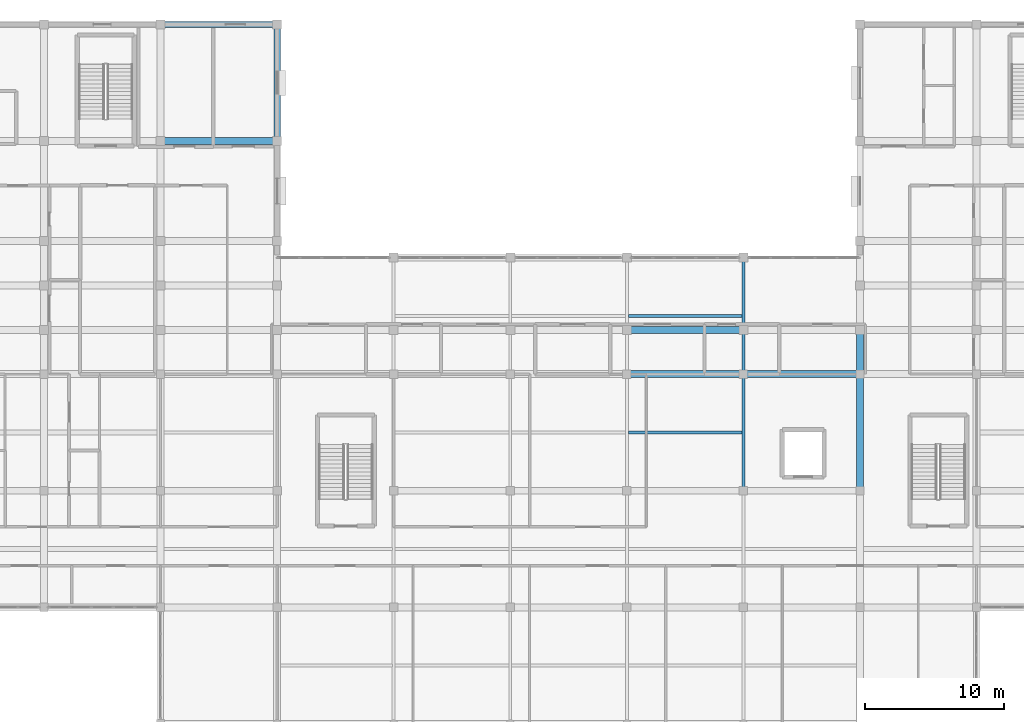
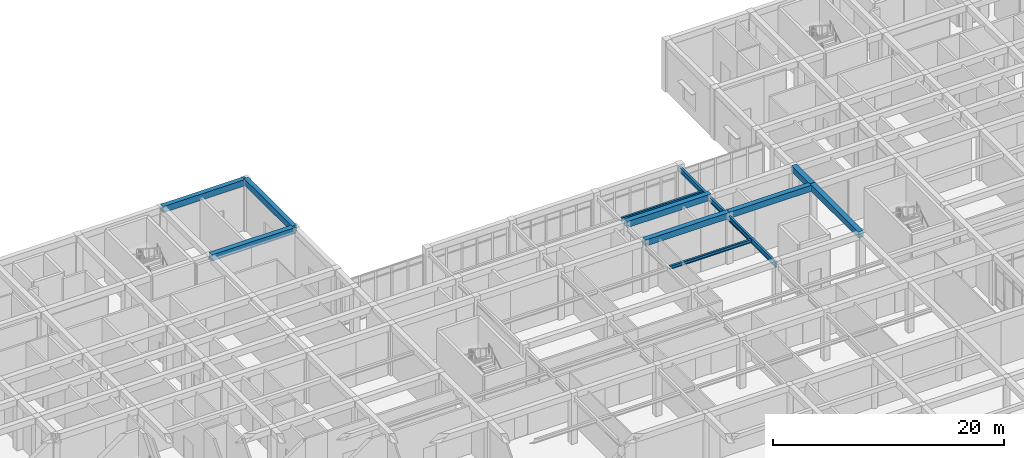
# One storey, part 29 of 89: 13 beams.
"""IFC4 building model written with IfcOpenShell, lengths in metres."""

from ifc_helpers import new_model, si_unit, direction, frame, origin, origin_2d, place, context, subcontext, project, spatial, rectangle, i_section, extrude, material, material_profile, profile_set, type_object, element, save


model = new_model("IFC4")

# Units and contexts
model_context = context("Model", 3, precision=1e-05, world=origin(), true_north=direction((0.0, 1.0)))
body_context = subcontext(model_context, "Body", "Model", "MODEL_VIEW")
ifc_project = project(units=[si_unit("LENGTHUNIT", "METRE"), si_unit("AREAUNIT", "SQUARE_METRE"), si_unit("VOLUMEUNIT", "CUBIC_METRE"), si_unit("PLANEANGLEUNIT", "RADIAN"), si_unit("MASSUNIT", "GRAM", prefix="KILO")], contexts=[model_context])

# Site, building, storey
site_placement = place(None, origin())
site = spatial("IfcSite", under=ifc_project, at=site_placement, CompositionType="ELEMENT")
building_placement = place(site_placement, origin())
building = spatial("IfcBuilding", under=site, at=building_placement, Name="Varncliffe General Hospital", CompositionType="ELEMENT")
storey_placement = place(building_placement, frame((0.0, 0.0, 10.800048828125)))
storey = spatial("IfcBuildingStorey", under=building, at=storey_placement, Name="L02", CompositionType="ELEMENT", Elevation=10.800048828125)

# Beams
ifc_material_1 = material(Name="Concrete C35/45 (CSA A23.1 35 MPa)", Category="concrete")
ifc_material_profile_1 = material_profile(ifc_material_1, rectangle(XDim=0.5, YDim=0.64990234375, at=origin_2d()), Name="RC 500x650")
ifc_profile_set_1 = profile_set([ifc_material_profile_1], Name="Concrete C35/45 (CSA A23.1 35 MPa)")
beam_type_1 = type_object("IfcBeamType", Name="Beam B29 (Int RC 500x650)", PredefinedType="BEAM", material=ifc_profile_set_1)
beam_1_placement = place(storey_placement, frame((92.39990234375, 99.60009765625, 5.074951171875), z_axis=(1.0, 0.0, 0.0), x_axis=(0.0, 1.0, 0.0)))
element("IfcBeam", 1, at=beam_1_placement, inside=storey, type_object=beam_type_1, Name="L02 Primary Beam B29-142", PredefinedType="BEAM", context=body_context, shape_type="SweptSolid", body=[
    extrude(rectangle(XDim=0.5, YDim=0.64990234375, at=origin_2d()), origin(), (0.0, 0.0, 1.0), 8.400146484375),
])
beam_2_placement = place(storey_placement, frame((100.800048828125, 99.60009765625, 5.074951171875), z_axis=(1.0, 0.0, 0.0), x_axis=(0.0, 1.0, 0.0)))
element("IfcBeam", 2, at=beam_2_placement, inside=storey, type_object=beam_type_1, Name="L02 Primary Beam B29-143", PredefinedType="BEAM", context=body_context, shape_type="SweptSolid", body=[
    extrude(rectangle(XDim=0.5, YDim=0.64990234375, at=origin_2d()), origin(), (0.0, 0.0, 1.0), 8.39990234375),
])
beam_3_placement = place(storey_placement, frame((92.39990234375, 102.800048828125, 5.074951171875), z_axis=(1.0, 0.0, 0.0), x_axis=(0.0, 1.0, 0.0)))
element("IfcBeam", 3, at=beam_3_placement, inside=storey, type_object=beam_type_1, Name="L02 Primary Beam B29-163", PredefinedType="BEAM", context=body_context, shape_type="SweptSolid", body=[
    extrude(rectangle(XDim=0.5, YDim=0.64990234375, at=origin_2d()), origin(), (0.0, 0.0, 1.0), 8.400146484375),
])
beam_4_placement = place(storey_placement, frame((58.800048828125, 116.39990234375, 5.074951171875), z_axis=(1.0, 0.0, 0.0), x_axis=(0.0, 1.0, 0.0)))
element("IfcBeam", 4, at=beam_4_placement, inside=storey, type_object=beam_type_1, Name="L02 Primary Beam B29-215", PredefinedType="BEAM", context=body_context, shape_type="SweptSolid", body=[
    extrude(rectangle(XDim=0.5, YDim=0.64990234375, at=origin_2d()), origin(), (0.0, 0.0, 1.0), 8.39990234375),
])
beam_5_placement = place(storey_placement, frame((109.199951171875, 91.199951171875, 5.074951171875), z_axis=(0.0, 1.0, 0.0), x_axis=(-1.0, 0.0, 0.0)))
element("IfcBeam", 5, at=beam_5_placement, inside=storey, type_object=beam_type_1, Name="L02 Primary Beam B29-378", PredefinedType="BEAM", context=body_context, shape_type="SweptSolid", body=[
    extrude(rectangle(XDim=0.5, YDim=0.64990234375, at=origin_2d()), origin(), (0.0, 0.0, 1.0), 8.400146484375),
])
beam_6_placement = place(storey_placement, frame((109.199951171875, 99.60009765625, 5.074951171875), z_axis=(0.0, 1.0, 0.0), x_axis=(-1.0, 0.0, 0.0)))
element("IfcBeam", 6, at=beam_6_placement, inside=storey, type_object=beam_type_1, Name="L02 Primary Beam B29-379", PredefinedType="BEAM", context=body_context, shape_type="SweptSolid", body=[
    extrude(rectangle(XDim=0.5, YDim=0.64990234375, at=origin_2d()), origin(), (0.0, 0.0, 1.0), 3.199951171875),
])
ifc_material_2 = material(Name="Steel S355 (CSA G40.21 350W)", Category="steel")
ifc_material_profile_2 = material_profile(ifc_material_2, i_section(OverallWidth=0.2109375, OverallDepth=0.5390625, WebThickness=0.01171875, FlangeThickness=0.018798828125, FilletRadius=0.013916015625, at=origin_2d()), Name="W530x109")
ifc_profile_set_2 = profile_set([ifc_material_profile_2], Name="Steel S355 (CSA G40.21 350W)")
beam_type_2 = type_object("IfcBeamType", Name="Beam B56 (Int W530x109)", PredefinedType="BEAM", material=ifc_profile_set_2)
beam_7_placement = place(storey_placement, frame((100.800048828125, 91.199951171875, 4.7705078125), z_axis=(0.0, 1.0, 0.0), x_axis=(-1.0, 0.0, 0.0)))
element("IfcBeam", 7, at=beam_7_placement, inside=storey, type_object=beam_type_2, Name="L02 Primary Beam B56-369", PredefinedType="BEAM", context=body_context, shape_type="SweptSolid", body=[
    extrude(i_section(OverallWidth=0.2109375, OverallDepth=0.5390625, WebThickness=0.01171875, FlangeThickness=0.018798828125, FilletRadius=0.013916015625, at=origin_2d()), origin(), (0.0, 0.0, 1.0), 8.400146484375),
])
beam_8_placement = place(storey_placement, frame((100.800048828125, 99.60009765625, 4.7705078125), z_axis=(0.0, 1.0, 0.0), x_axis=(-1.0, 0.0, 0.0)))
element("IfcBeam", 8, at=beam_8_placement, inside=storey, type_object=beam_type_2, Name="L02 Primary Beam B56-370", PredefinedType="BEAM", context=body_context, shape_type="SweptSolid", body=[
    extrude(i_section(OverallWidth=0.2109375, OverallDepth=0.5390625, WebThickness=0.01171875, FlangeThickness=0.018798828125, FilletRadius=0.013916015625, at=origin_2d()), origin(), (0.0, 0.0, 1.0), 3.199951171875),
])
beam_9_placement = place(storey_placement, frame((100.800048828125, 102.800048828125, 4.7705078125), z_axis=(0.0, 1.0, 0.0), x_axis=(-1.0, 0.0, 0.0)))
element("IfcBeam", 9, at=beam_9_placement, inside=storey, type_object=beam_type_2, Name="L02 Primary Beam B56-371", PredefinedType="BEAM", context=body_context, shape_type="SweptSolid", body=[
    extrude(i_section(OverallWidth=0.2109375, OverallDepth=0.5390625, WebThickness=0.01171875, FlangeThickness=0.018798828125, FilletRadius=0.013916015625, at=origin_2d()), origin(), (0.0, 0.0, 1.0), 5.199951171875),
])
ifc_material_profile_3 = material_profile(ifc_material_2, i_section(OverallWidth=0.202880859375, OverallDepth=0.346923828125, WebThickness=0.0078125, FlangeThickness=0.013427734375, FilletRadius=0.010986328125, at=origin_2d()), Name="W360x64")
ifc_profile_set_3 = profile_set([ifc_material_profile_3], Name="Steel S355 (CSA G40.21 350W)")
beam_type_3 = type_object("IfcBeamType", Name="Joist J14 (Int W360x64)", PredefinedType="JOIST", material=ifc_profile_set_3)
for number, where, z_axis, x_axis, name in (
    (10, (92.50341796875, 95.39990234375, 4.866455078125), (1.0, 0.0, 0.0), (0.0, 1.0, 0.0), "L02 Secondary Floor Rib J14-38"),
    (11, (92.50341796875, 103.800048828125, 4.866455078125), (1.0, 0.0, 0.0), (0.0, 1.0, 0.0), "L02 Secondary Floor Rib J14-39"),
):
    element("IfcBeam", number, at=place(storey_placement, frame(where, z_axis=z_axis, x_axis=x_axis)), inside=storey, type_object=beam_type_3, Name=name, PredefinedType="JOIST", context=body_context, shape_type="SweptSolid", body=[
        extrude(i_section(OverallWidth=0.202880859375, OverallDepth=0.346923828125, WebThickness=0.0078125, FlangeThickness=0.013427734375, FilletRadius=0.010986328125, at=origin_2d()), origin(), (0.0, 0.0, 1.0), 8.193115234375),
    ])
ifc_material_profile_4 = material_profile(ifc_material_1, rectangle(XDim=0.449951171875, YDim=0.64990234375, at=origin_2d()), Name="RC 450x650")
ifc_profile_set_4 = profile_set([ifc_material_profile_4], Name="Concrete C35/45 (CSA A23.1 35 MPa)")
beam_type_4 = type_object("IfcBeamType", Name="Spandrel SP38 (Ext RC 450x650B)", PredefinedType="SPANDREL", material=ifc_profile_set_4)
beam_10_placement = place(storey_placement, frame((58.800048828125, 124.800048828125, 5.074951171875), z_axis=(1.0, 0.0, 0.0), x_axis=(0.0, 1.0, 0.0)))
element("IfcBeam", 12, at=beam_10_placement, inside=storey, type_object=beam_type_4, Name="L02 Spandrel Beam SP38-231", PredefinedType="SPANDREL", context=body_context, shape_type="SweptSolid", body=[
    extrude(rectangle(XDim=0.449951171875, YDim=0.64990234375, at=origin_2d()), origin(), (0.0, 0.0, 1.0), 8.39990234375),
])
beam_11_placement = place(storey_placement, frame((67.199951171875, 116.39990234375, 5.074951171875), z_axis=(0.0, 1.0, 0.0), x_axis=(-1.0, 0.0, 0.0)))
element("IfcBeam", 13, at=beam_11_placement, inside=storey, type_object=beam_type_4, Name="L02 Spandrel Beam SP38-337", PredefinedType="SPANDREL", context=body_context, shape_type="SweptSolid", body=[
    extrude(rectangle(XDim=0.449951171875, YDim=0.64990234375, at=origin_2d()), origin(), (0.0, 0.0, 1.0), 8.400146484375),
])

save(model, "model.ifc")
